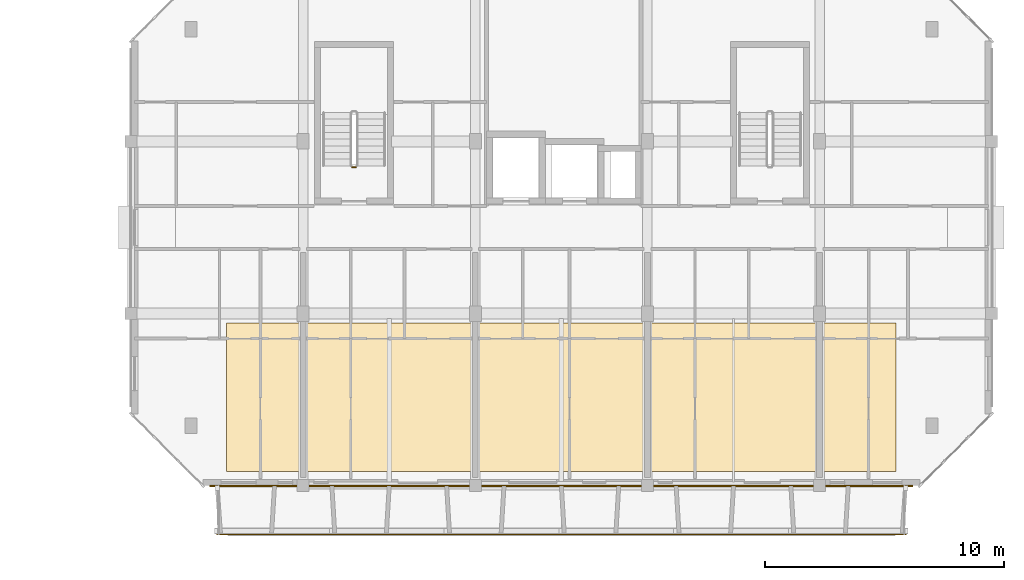
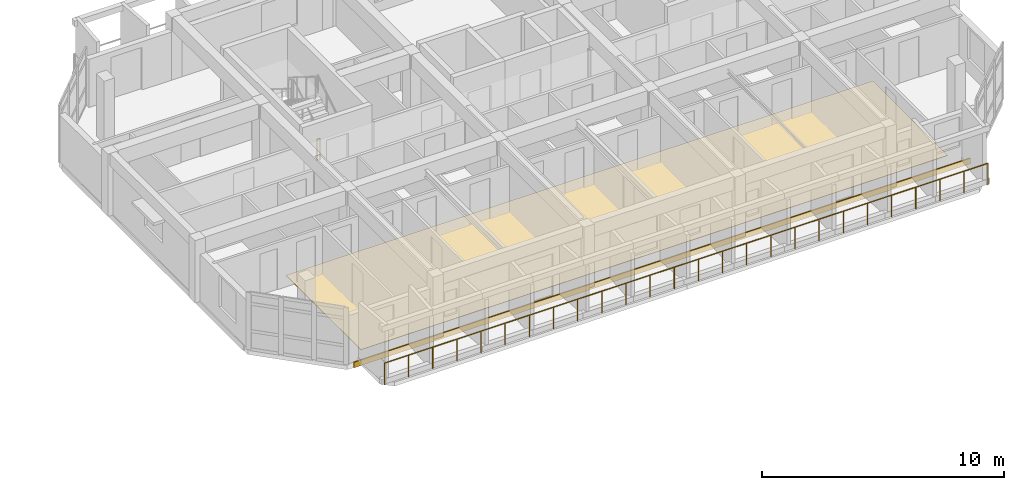
# One storey, part 41 of 45: 2 coverings, 2 railings.
"""IFC4 building model written with IfcOpenShell, lengths in metres."""

from ifc_helpers import new_model, si_unit, direction, frame, origin, origin_2d, place, context, subcontext, project, spatial, polyline, rectangle, circle, outline, extrude, material, layer, layer_set, type_object, element, save


model = new_model("IFC4")

# Units and contexts
model_context = context("Model", 3, precision=1e-05, world=origin(), true_north=direction((0.0, 1.0)))
body_context = subcontext(model_context, "Body", "Model", "MODEL_VIEW")
ifc_project = project(units=[si_unit("LENGTHUNIT", "METRE"), si_unit("AREAUNIT", "SQUARE_METRE"), si_unit("VOLUMEUNIT", "CUBIC_METRE"), si_unit("PLANEANGLEUNIT", "RADIAN"), si_unit("MASSUNIT", "GRAM", prefix="KILO")], contexts=[model_context])

# Site, building, storey
site_placement = place(None, origin())
site = spatial("IfcSite", under=ifc_project, at=site_placement, CompositionType="ELEMENT")
building_placement = place(site_placement, origin())
building = spatial("IfcBuilding", under=site, at=building_placement, Name="Ochrevale Crest", CompositionType="ELEMENT")
storey_placement = place(building_placement, frame((0.0, 0.0, 18.14990234375)))
storey = spatial("IfcBuildingStorey", under=building, at=storey_placement, Name="L05", CompositionType="ELEMENT", Elevation=18.14990234375)

# Coverings
ifc_material_1 = material(Name="Glazed terracotta rainscreen tile", Category="masonry")
ifc_layer_1 = layer(ifc_material_1, 0.048095703125)
ifc_layer_set_1 = layer_set([ifc_layer_1], Name="Glazed terracotta rainscreen tile")
covering_type_1 = type_object("IfcCoveringType", Name="COV-CLAD-TER", PredefinedType="CLADDING", material=ifc_layer_set_1)
covering_1_placement = place(storey_placement, frame((147.60009765625, 14.387451171875, -0.259765625), z_axis=(0.0, 0.0, 1.0), x_axis=(1.0, 0.0, 0.0)))
element("IfcCovering", 1, at=covering_1_placement, inside=storey, type_object=covering_type_1, Name="Block C L05 terracotta slab-edge spandrel cladding", PredefinedType="CLADDING", context=body_context, shape_type="SweptSolid", body=[
    extrude(rectangle(XDim=29.39990234375, YDim=0.06005859375, at=origin_2d()), origin(), (0.0, 0.0, 1.0), 0.280029296875),
])
ifc_material_2 = material(Name="Engineered spotted-gum hardwood flooring", Category="wood")
ifc_layer_2 = layer(ifc_material_2, 0.02001953125)
ifc_layer_set_2 = layer_set([ifc_layer_2], Name="Engineered spotted-gum hardwood flooring")
covering_type_2 = type_object("IfcCoveringType", Name="COV-FLR-TIM", PredefinedType="FLOORING", material=ifc_layer_set_2)
covering_2_placement = place(storey_placement, origin())
element("IfcCovering", 2, at=covering_2_placement, inside=storey, type_object=covering_type_2, Name="Block C L05 spotted-gum apartment flooring", PredefinedType="FLOORING", context=body_context, shape_type="SweptSolid", body=[
    extrude(outline(polyline([(133.60009765625, 15.0), (161.60009765625, 15.0), (161.60009765625, 21.199951171875), (133.60009765625, 21.199951171875), (133.60009765625, 15.0)])), origin(), (0.0, 0.0, 1.0), 0.02001953125),
])

# Railings
ifc_material_3 = material(Name="Galvanised steel", Category="steel")
railing_type_1 = type_object("IfcRailingType", Name="RL-BAL-1100", PredefinedType="BALUSTRADE", material=ifc_material_3)
railing_1_placement = place(storey_placement, frame((133.199951171875, 12.360107421875, 0.0)))
element("IfcRailing", 3, at=railing_1_placement, inside=storey, type_object=railing_type_1, Name="Block C L05 S balcony front balustrade", PredefinedType="BALUSTRADE", context=body_context, shape_type="SweptSolid", body=[
    extrude(circle(Radius=0.02392578125, at=origin_2d()), frame((0.0, 0.0, 1.0859375), z_axis=(1.0, 0.0, 0.0), x_axis=(0.0, 1.0, 0.0)), (0.0, 0.0, 1.0), 28.800048828125),
    extrude(circle(Radius=0.02099609375, at=origin_2d()), origin(), (0.0, 0.0, 1.0), 1.06201171875),
    extrude(circle(Radius=0.02099609375, at=origin_2d()), frame((1.152099609375, 0.0, 0.0)), (0.0, 0.0, 1.0), 1.06201171875),
    extrude(circle(Radius=0.02099609375, at=origin_2d()), frame((2.303955078125, 0.0, 0.0)), (0.0, 0.0, 1.0), 1.06201171875),
    extrude(circle(Radius=0.02099609375, at=origin_2d()), frame((3.4560546875, 0.0, 0.0)), (0.0, 0.0, 1.0), 1.06201171875),
    extrude(circle(Radius=0.02099609375, at=origin_2d()), frame((4.60791015625, 0.0, 0.0)), (0.0, 0.0, 1.0), 1.06201171875),
    extrude(circle(Radius=0.02099609375, at=origin_2d()), frame((5.760009765625, 0.0, 0.0)), (0.0, 0.0, 1.0), 1.06201171875),
    extrude(circle(Radius=0.02099609375, at=origin_2d()), frame((6.912109375, 0.0, 0.0)), (0.0, 0.0, 1.0), 1.06201171875),
    extrude(circle(Radius=0.02099609375, at=origin_2d()), frame((8.06396484375, 0.0, 0.0)), (0.0, 0.0, 1.0), 1.06201171875),
    extrude(circle(Radius=0.02099609375, at=origin_2d()), frame((9.216064453125, 0.0, 0.0)), (0.0, 0.0, 1.0), 1.06201171875),
    extrude(circle(Radius=0.02099609375, at=origin_2d()), frame((10.367919921875, 0.0, 0.0)), (0.0, 0.0, 1.0), 1.06201171875),
    extrude(circle(Radius=0.02099609375, at=origin_2d()), frame((11.52001953125, 0.0, 0.0)), (0.0, 0.0, 1.0), 1.06201171875),
    extrude(circle(Radius=0.02099609375, at=origin_2d()), frame((12.672119140625, 0.0, 0.0)), (0.0, 0.0, 1.0), 1.06201171875),
    extrude(circle(Radius=0.02099609375, at=origin_2d()), frame((13.823974609375, 0.0, 0.0)), (0.0, 0.0, 1.0), 1.06201171875),
    extrude(circle(Radius=0.02099609375, at=origin_2d()), frame((14.97607421875, 0.0, 0.0)), (0.0, 0.0, 1.0), 1.06201171875),
    extrude(circle(Radius=0.02099609375, at=origin_2d()), frame((16.1279296875, 0.0, 0.0)), (0.0, 0.0, 1.0), 1.06201171875),
    extrude(circle(Radius=0.02099609375, at=origin_2d()), frame((17.280029296875, 0.0, 0.0)), (0.0, 0.0, 1.0), 1.06201171875),
    extrude(circle(Radius=0.02099609375, at=origin_2d()), frame((18.43212890625, 0.0, 0.0)), (0.0, 0.0, 1.0), 1.06201171875),
    extrude(circle(Radius=0.02099609375, at=origin_2d()), frame((19.583984375, 0.0, 0.0)), (0.0, 0.0, 1.0), 1.06201171875),
    extrude(circle(Radius=0.02099609375, at=origin_2d()), frame((20.736083984375, 0.0, 0.0)), (0.0, 0.0, 1.0), 1.06201171875),
    extrude(circle(Radius=0.02099609375, at=origin_2d()), frame((21.887939453125, 0.0, 0.0)), (0.0, 0.0, 1.0), 1.06201171875),
    extrude(circle(Radius=0.02099609375, at=origin_2d()), frame((23.0400390625, 0.0, 0.0)), (0.0, 0.0, 1.0), 1.06201171875),
    extrude(circle(Radius=0.02099609375, at=origin_2d()), frame((24.192138671875, 0.0, 0.0)), (0.0, 0.0, 1.0), 1.06201171875),
    extrude(circle(Radius=0.02099609375, at=origin_2d()), frame((25.343994140625, 0.0, 0.0)), (0.0, 0.0, 1.0), 1.06201171875),
    extrude(circle(Radius=0.02099609375, at=origin_2d()), frame((26.49609375, 0.0, 0.0)), (0.0, 0.0, 1.0), 1.06201171875),
    extrude(circle(Radius=0.02099609375, at=origin_2d()), frame((27.64794921875, 0.0, 0.0)), (0.0, 0.0, 1.0), 1.06201171875),
    extrude(circle(Radius=0.02099609375, at=origin_2d()), frame((28.800048828125, 0.0, 0.0)), (0.0, 0.0, 1.0), 1.06201171875),
])
railing_type_2 = type_object("IfcRailingType", Name="RL-ST-GUARD", PredefinedType="BALUSTRADE", material=ifc_material_3)
railing_2_placement = place(storey_placement, frame((139.0, 27.72509765625, 0.0)))
element("IfcRailing", 4, at=railing_2_placement, inside=storey, type_object=railing_type_2, Name="L05 ST-C1 stair guard 4", PredefinedType="BALUSTRADE", context=body_context, shape_type="SweptSolid", body=[
    extrude(circle(Radius=0.02392578125, at=origin_2d()), frame((0.0, 0.0, 1.076171875), z_axis=(-1.0, 0.0, 0.0), x_axis=(0.0, -1.0, 0.0)), (0.0, 0.0, 1.0), 0.14990234375),
    extrude(circle(Radius=0.02099609375, at=origin_2d()), origin(), (0.0, 0.0, 1.0), 1.052001953125),
    extrude(circle(Radius=0.02099609375, at=origin_2d()), frame((-0.14990234375, 0.0, 0.0)), (0.0, 0.0, 1.0), 1.052001953125),
])

save(model, "model.ifc")
